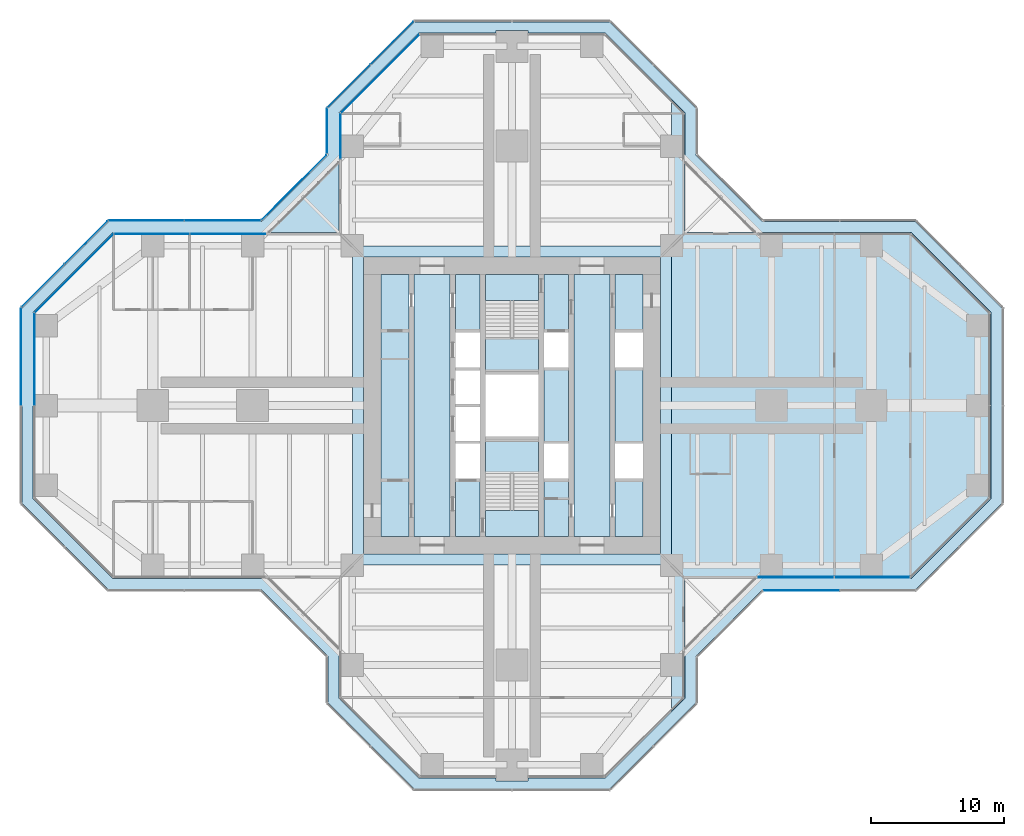
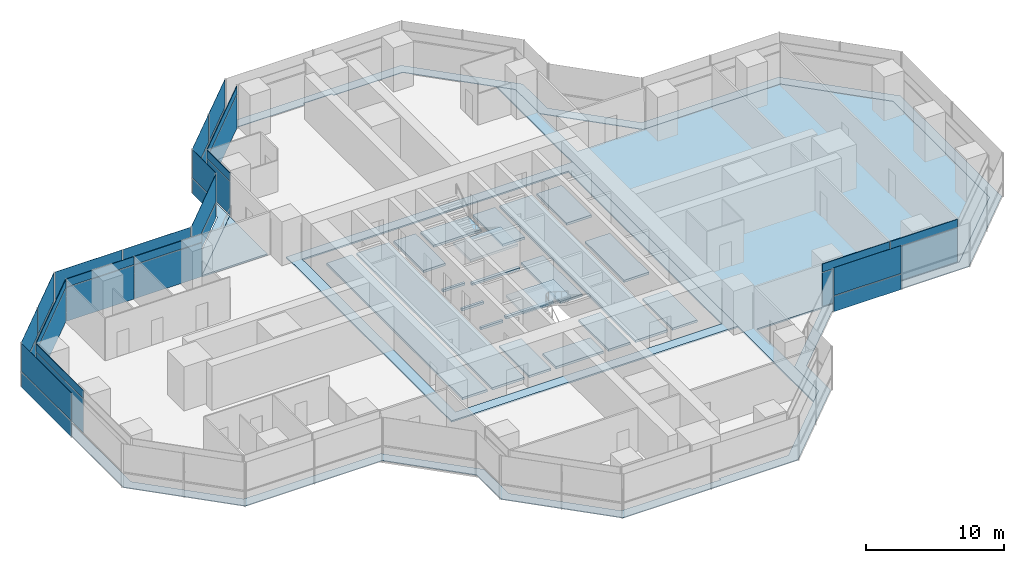
# One storey, part 13 of 20: 37 plates, 8 slabs, 15 elements without a shape of their own.
"""IFC4 building model written with IfcOpenShell, lengths in metres."""

from ifc_helpers import new_model, si_unit, direction, frame, origin, origin_2d, place, context, subcontext, project, spatial, polyline, rectangle, outline, extrude, material, layer, layer_set, type_object, element, aggregate, save


model = new_model("IFC4")

# Units and contexts
model_context = context("Model", 3, precision=1e-05, world=origin(), true_north=direction((0.0, 1.0)))
body_context = subcontext(model_context, "Body", "Model", "MODEL_VIEW")
ifc_project = project(units=[si_unit("LENGTHUNIT", "METRE"), si_unit("AREAUNIT", "SQUARE_METRE"), si_unit("VOLUMEUNIT", "CUBIC_METRE"), si_unit("PLANEANGLEUNIT", "RADIAN"), si_unit("MASSUNIT", "GRAM", prefix="KILO")], contexts=[model_context])

# Site, building, storey
site_placement = place(None, origin())
site = spatial("IfcSite", under=ifc_project, at=site_placement, CompositionType="ELEMENT")
building_placement = place(site_placement, origin())
building = spatial("IfcBuilding", under=site, at=building_placement, Name="Mizan Broadcast Tower", CompositionType="ELEMENT")
storey_placement = place(building_placement, frame((0.0, 0.0, 174.89990234375)))
storey = spatial("IfcBuildingStorey", under=building, at=storey_placement, Name="L40", CompositionType="ELEMENT", Elevation=174.89990234375)

# Plate
ifc_material_1 = material(Name="Aluminium grating", Category="aluminium")
ifc_layer_1 = layer(ifc_material_1, 0.050048828125)
ifc_layer_set_1 = layer_set([ifc_layer_1], Name="Aluminium grating")
plate_type_1 = type_object("IfcPlateType", Name="CAVITY GRATING", PredefinedType="USERDEFINED", material=ifc_layer_set_1)
plate_1_placement = place(storey_placement, frame((0.0, 0.0, -0.0498046875)))
element("IfcPlate", 1, at=plate_1_placement, inside=storey, type_object=plate_type_1, Name="Cavity grating L40", ObjectType="GRATING", PredefinedType="USERDEFINED", context=body_context, shape_type="SweptSolid", body=[
    extrude(outline(polyline([(13.820068359375, -18.839599609375), (18.839599609375, -13.820068359375), (30.339599609375, -13.820068359375), (36.820068359375, -7.339599609375), (36.820068359375, 7.339599609375), (30.339599609375, 13.820068359375), (18.839599609375, 13.820068359375), (13.820068359375, 18.839599609375), (13.820068359375, 22.339599609375), (7.339599609375, 28.820068359375), (-7.339599609375, 28.820068359375), (-13.820068359375, 22.339599609375), (-13.820068359375, 18.839599609375), (-18.839599609375, 13.820068359375), (-30.339599609375, 13.820068359375), (-36.820068359375, 7.339599609375), (-36.820068359375, -7.339599609375), (-30.339599609375, -13.820068359375), (-18.839599609375, -13.820068359375), (-13.820068359375, -18.839599609375), (-13.820068359375, -22.339599609375), (-7.339599609375, -28.820068359375), (7.339599609375, -28.820068359375), (13.820068359375, -22.339599609375), (13.820068359375, -18.839599609375)]), holes=[polyline([(36.0, 7.0), (36.0, -7.0), (30.0, -13.0), (18.5, -13.0), (13.0, -18.5), (13.0, -22.0), (7.0, -28.0), (1.199951171875, -28.0), (1.199951171875, -28.199951171875), (-1.199951171875, -28.199951171875), (-1.199951171875, -28.0), (-7.0, -28.0), (-13.0, -22.0), (-13.0, -18.5), (-18.5, -13.0), (-30.0, -13.0), (-36.0, -7.0), (-36.0, 7.0), (-30.0, 13.0), (-18.5, 13.0), (-13.0, 18.5), (-13.0, 22.0), (-7.0, 28.0), (-1.199951171875, 28.0), (-1.199951171875, 28.199951171875), (1.199951171875, 28.199951171875), (1.199951171875, 28.0), (7.0, 28.0), (13.0, 22.0), (13.0, 18.5), (18.5, 13.0), (30.0, 13.0), (36.0, 7.0)])]), origin(), (0.0, 0.0, 1.0), 0.0498046875),
])

# Slabs
ifc_material_2 = material(Name="Concrete C32/40", Category="concrete")
ifc_layer_2 = layer(ifc_material_2, 0.1298828125)
ifc_layer_set_2 = layer_set([ifc_layer_2], Name="Concrete C32/40")
slab_type_1 = type_object("IfcSlabType", Name="COMPOSITE DECK SLAB 130", PredefinedType="FLOOR", material=ifc_layer_set_2)
slab_1_placement = place(storey_placement, frame((0.0, 0.0, -0.1298828125)))
element("IfcSlab", 2, at=slab_1_placement, inside=storey, type_object=slab_type_1, Name="Floor slab L40 centre", PredefinedType="FLOOR", context=body_context, shape_type="SweptSolid", body=[
    extrude(outline(polyline([(-12.0, -12.0), (12.0, -12.0), (12.0, 12.0), (-12.0, 12.0), (-12.0, -12.0)]), holes=[polyline([(-11.14990234375, 11.14990234375), (11.14990234375, 11.14990234375), (11.14990234375, -11.14990234375), (-11.14990234375, -11.14990234375), (-11.14990234375, 11.14990234375)])]), origin(), (0.0, 0.0, 1.0), 0.1298828125),
])
slab_2_placement = place(storey_placement, frame((0.0, 0.0, -0.1298828125)))
element("IfcSlab", 3, at=slab_2_placement, inside=storey, type_object=slab_type_1, Name="Floor slab L40 east arm", PredefinedType="FLOOR", context=body_context, shape_type="SweptSolid", body=[
    extrude(outline(polyline([(12.0, -23.0), (13.0, -22.0), (13.0, -13.0), (30.0, -13.0), (36.0, -7.0), (36.0, 7.0), (30.0, 13.0), (13.0, 13.0), (13.0, 22.0), (12.0, 23.0), (12.0, -23.0)])), origin(), (0.0, 0.0, 1.0), 0.1298828125),
])
ifc_material_3 = material(Name="Concrete C40/50", Category="concrete")
ifc_layer_3 = layer(ifc_material_3, 0.199951171875)
ifc_layer_set_3 = layer_set([ifc_layer_3], Name="Concrete C40/50")
slab_type_2 = type_object("IfcSlabType", Name="CORE FLOOR 200", PredefinedType="FLOOR", material=ifc_layer_set_3)
slab_3_placement = place(storey_placement, frame((0.0, 0.0, -0.199951171875)))
element("IfcSlab", 4, at=slab_3_placement, inside=storey, type_object=slab_type_2, Name="Core floor L40", PredefinedType="FLOOR", context=body_context, shape_type="SweptSolid", body=[
    extrude(outline(polyline([(-9.85009765625, -9.85009765625), (-7.75, -9.85009765625), (-7.75, 9.85009765625), (-9.85009765625, 9.85009765625), (-9.85009765625, -9.85009765625)])), origin(), (0.0, 0.0, 1.0), 0.199951171875),
    extrude(outline(polyline([(-4.64990234375, 9.85009765625), (-7.35009765625, 9.85009765625), (-7.35009765625, -9.85009765625), (-4.64990234375, -9.85009765625), (-4.64990234375, 9.85009765625)])), origin(), (0.0, 0.0, 1.0), 0.199951171875),
    extrude(outline(polyline([(-4.25, -5.5), (-4.25, -9.85009765625), (-2.39990234375, -9.85009765625), (-2.39990234375, -5.5), (-4.25, -5.5)])), origin(), (0.0, 0.0, 1.0), 0.199951171875),
    extrude(outline(polyline([(-4.25, -2.85009765625), (-2.39990234375, -2.85009765625), (-2.39990234375, -2.64990234375), (-4.25, -2.64990234375), (-4.25, -2.85009765625)])), origin(), (0.0, 0.0, 1.0), 0.199951171875),
    extrude(outline(polyline([(-4.25, -0.10009765625), (-2.39990234375, -0.10009765625), (-2.39990234375, 0.10009765625), (-4.25, 0.10009765625), (-4.25, -0.10009765625)])), origin(), (0.0, 0.0, 1.0), 0.199951171875),
    extrude(outline(polyline([(-4.25, 2.64990234375), (-2.39990234375, 2.64990234375), (-2.39990234375, 2.85009765625), (-4.25, 2.85009765625), (-4.25, 2.64990234375)])), origin(), (0.0, 0.0, 1.0), 0.199951171875),
    extrude(outline(polyline([(-4.25, 5.5), (-2.39990234375, 5.5), (-2.39990234375, 9.85009765625), (-4.25, 9.85009765625), (-4.25, 5.5)])), origin(), (0.0, 0.0, 1.0), 0.199951171875),
    extrude(outline(polyline([(2.0, -2.324951171875), (-2.0, -2.324951171875), (-2.0, -2.574951171875), (2.0, -2.574951171875), (2.0, -2.324951171875)])), origin(), (0.0, 0.0, 1.0), 0.199951171875),
    extrude(outline(polyline([(2.0, 2.574951171875), (-2.0, 2.574951171875), (-2.0, 2.324951171875), (2.0, 2.324951171875), (2.0, 2.574951171875)])), origin(), (0.0, 0.0, 1.0), 0.199951171875),
    extrude(outline(polyline([(4.25, -9.85009765625), (4.25, -5.5), (2.39990234375, -5.5), (2.39990234375, -9.85009765625), (4.25, -9.85009765625)])), origin(), (0.0, 0.0, 1.0), 0.199951171875),
    extrude(outline(polyline([(4.25, -2.85009765625), (4.25, 2.85009765625), (2.39990234375, 2.85009765625), (2.39990234375, -2.85009765625), (4.25, -2.85009765625)])), origin(), (0.0, 0.0, 1.0), 0.199951171875),
    extrude(outline(polyline([(4.25, 5.5), (4.25, 9.85009765625), (2.39990234375, 9.85009765625), (2.39990234375, 5.5), (4.25, 5.5)])), origin(), (0.0, 0.0, 1.0), 0.199951171875),
    extrude(outline(polyline([(4.64990234375, 9.85009765625), (4.64990234375, -9.85009765625), (7.35009765625, -9.85009765625), (7.35009765625, 9.85009765625), (4.64990234375, 9.85009765625)])), origin(), (0.0, 0.0, 1.0), 0.199951171875),
    extrude(outline(polyline([(9.85009765625, -9.85009765625), (9.85009765625, -5.5), (7.75, -5.5), (7.75, -9.85009765625), (9.85009765625, -9.85009765625)])), origin(), (0.0, 0.0, 1.0), 0.199951171875),
    extrude(outline(polyline([(7.75, -2.85009765625), (9.85009765625, -2.85009765625), (9.85009765625, 2.85009765625), (7.75, 2.85009765625), (7.75, -2.85009765625)])), origin(), (0.0, 0.0, 1.0), 0.199951171875),
    extrude(outline(polyline([(9.85009765625, 5.5), (9.85009765625, 9.85009765625), (7.75, 9.85009765625), (7.75, 5.5), (9.85009765625, 5.5)])), origin(), (0.0, 0.0, 1.0), 0.199951171875),
])

# Curtain wall, plates
ifc_material_4 = material(Name="Aluminium framed glazing", Category="aluminium")
curtain_wall_type_1 = type_object("IfcCurtainWallType", Name="INNER SKIN MID ZONE", PredefinedType="USERDEFINED", material=ifc_material_4)
curtain_wall_1_placement = place(storey_placement, origin())
curtain_wall_1 = element("IfcCurtainWall", 5, at=curtain_wall_1_placement, inside=storey, type_object=curtain_wall_type_1, Name="Inner skin mid zone L40 E side", ObjectType="INNER SKIN MID ZONE", PredefinedType="USERDEFINED")
ifc_material_5 = material(Name="Double glazing, clear low-e", Category="glass")
ifc_layer_4 = layer(ifc_material_5, 0.028076171875)
ifc_layer_set_4 = layer_set([ifc_layer_4], Name="Double glazing, clear low-e")
plate_type_2 = type_object("IfcPlateType", Name="INNER SKIN GLAZING UNIT", PredefinedType="CURTAIN_PANEL", material=ifc_layer_set_4)
plate_2_placement = place(storey_placement, frame((21.379638671875, -12.89990234375, 0.0), z_axis=(0.0, 0.0, 1.0), x_axis=(1.0, 0.0, 0.0)))
plate_2 = element("IfcPlate", 6, at=plate_2_placement, type_object=plate_type_2, Name="Inner skin mid zone L40 E side panel 1.1", PredefinedType="CURTAIN_PANEL", context=body_context, shape_type="SweptSolid", body=[
    extrude(rectangle(XDim=5.639404296875, YDim=0.028076171875, at=origin_2d()), origin(), (0.0, 0.0, 1.0), 3.0),
])
plate_3_placement = place(storey_placement, frame((27.078857421875, -12.89990234375, 0.0), z_axis=(0.0, 0.0, 1.0), x_axis=(1.0, 0.0, 0.0)))
plate_3 = element("IfcPlate", 7, at=plate_3_placement, type_object=plate_type_2, Name="Inner skin mid zone L40 E side panel 2.1", PredefinedType="CURTAIN_PANEL", context=body_context, shape_type="SweptSolid", body=[
    extrude(rectangle(XDim=5.639404296875, YDim=0.028076171875, at=origin_2d()), origin(), (0.0, 0.0, 1.0), 3.0),
])

# Curtain wall, plate
curtain_wall_2_placement = place(storey_placement, origin())
curtain_wall_2 = element("IfcCurtainWall", 8, at=curtain_wall_2_placement, inside=storey, type_object=curtain_wall_type_1, Name="Inner skin mid zone L40 N chamfer", ObjectType="INNER SKIN MID ZONE", PredefinedType="USERDEFINED")
plate_4_placement = place(storey_placement, frame((-9.92919921875, 24.92919921875, 0.0), z_axis=(0.0, 0.0, 1.0), x_axis=(-0.707106781187, -0.707106781187, 0.0)))
plate_4 = element("IfcPlate", 9, at=plate_4_placement, type_object=plate_type_2, Name="Inner skin mid zone L40 N chamfer panel 1.1", PredefinedType="CURTAIN_PANEL", context=body_context, shape_type="SweptSolid", body=[
    extrude(rectangle(XDim=8.282470703125, YDim=0.028076171875, at=origin_2d()), origin(), (0.0, 0.0, 1.0), 3.0),
])

curtain_wall_3_placement = place(storey_placement, origin())
curtain_wall_3 = element("IfcCurtainWall", 10, at=curtain_wall_3_placement, inside=storey, type_object=curtain_wall_type_1, Name="Inner skin mid zone L40 N side", ObjectType="INNER SKIN MID ZONE", PredefinedType="USERDEFINED")
plate_5_placement = place(storey_placement, frame((-12.89990234375, 20.229248046875, 0.0), z_axis=(0.0, 0.0, 1.0), x_axis=(0.0, -1.0, 0.0)))
plate_5 = element("IfcPlate", 11, at=plate_5_placement, type_object=plate_type_2, Name="Inner skin mid zone L40 N side panel 1.1", PredefinedType="CURTAIN_PANEL", context=body_context, shape_type="SweptSolid", body=[
    extrude(rectangle(XDim=3.338623046875, YDim=0.028076171875, at=origin_2d()), origin(), (0.0, 0.0, 1.0), 3.0),
])

# Curtain wall, plates
curtain_wall_4_placement = place(storey_placement, origin())
curtain_wall_4 = element("IfcCurtainWall", 12, at=curtain_wall_4_placement, inside=storey, type_object=curtain_wall_type_1, Name="Inner skin mid zone L40 W side", ObjectType="INNER SKIN MID ZONE", PredefinedType="USERDEFINED")
plate_6_placement = place(storey_placement, frame((-21.379638671875, 12.89990234375, 0.0), z_axis=(0.0, 0.0, 1.0), x_axis=(-1.0, 0.0, 0.0)))
plate_6 = element("IfcPlate", 13, at=plate_6_placement, type_object=plate_type_2, Name="Inner skin mid zone L40 W side panel 1.1", PredefinedType="CURTAIN_PANEL", context=body_context, shape_type="SweptSolid", body=[
    extrude(rectangle(XDim=5.639404296875, YDim=0.028076171875, at=origin_2d()), origin(), (0.0, 0.0, 1.0), 3.0),
])
plate_7_placement = place(storey_placement, frame((-27.078857421875, 12.89990234375, 0.0), z_axis=(0.0, 0.0, 1.0), x_axis=(-1.0, 0.0, 0.0)))
plate_7 = element("IfcPlate", 14, at=plate_7_placement, type_object=plate_type_2, Name="Inner skin mid zone L40 W side panel 2.1", PredefinedType="CURTAIN_PANEL", context=body_context, shape_type="SweptSolid", body=[
    extrude(rectangle(XDim=5.639404296875, YDim=0.028076171875, at=origin_2d()), origin(), (0.0, 0.0, 1.0), 3.0),
])

# Curtain wall, plate
curtain_wall_5_placement = place(storey_placement, origin())
curtain_wall_5 = element("IfcCurtainWall", 15, at=curtain_wall_5_placement, inside=storey, type_object=curtain_wall_type_1, Name="Inner skin mid zone L40 W chamfer", ObjectType="INNER SKIN MID ZONE", PredefinedType="USERDEFINED")
plate_8_placement = place(storey_placement, frame((-32.92919921875, 9.92919921875, 0.0), z_axis=(0.0, 0.0, 1.0), x_axis=(-0.707106781187, -0.707106781187, 0.0)))
plate_8 = element("IfcPlate", 16, at=plate_8_placement, type_object=plate_type_2, Name="Inner skin mid zone L40 W chamfer panel 1.1", PredefinedType="CURTAIN_PANEL", context=body_context, shape_type="SweptSolid", body=[
    extrude(rectangle(XDim=8.282470703125, YDim=0.028076171875, at=origin_2d()), origin(), (0.0, 0.0, 1.0), 3.0),
])

curtain_wall_6_placement = place(storey_placement, origin())
curtain_wall_6 = element("IfcCurtainWall", 17, at=curtain_wall_6_placement, inside=storey, type_object=curtain_wall_type_1, Name="Inner skin mid zone L40 W end", ObjectType="INNER SKIN MID ZONE", PredefinedType="USERDEFINED")
plate_9_placement = place(storey_placement, frame((-35.89990234375, 3.46435546875, 0.0), z_axis=(0.0, 0.0, 1.0), x_axis=(0.0, -1.0, 0.0)))
plate_9 = element("IfcPlate", 18, at=plate_9_placement, type_object=plate_type_2, Name="Inner skin mid zone L40 W end panel 1.1", PredefinedType="CURTAIN_PANEL", context=body_context, shape_type="SweptSolid", body=[
    extrude(rectangle(XDim=6.86865234375, YDim=0.028076171875, at=origin_2d()), origin(), (0.0, 0.0, 1.0), 3.0),
])

# Plate
ifc_material_6 = material(Name="Insulated aluminium spandrel panel, pale anodised", Category="aluminium")
ifc_layer_5 = layer(ifc_material_6, 0.050048828125)
ifc_layer_set_5 = layer_set([ifc_layer_5], Name="Insulated aluminium spandrel panel, pale anodised")
plate_type_3 = type_object("IfcPlateType", Name="INNER SKIN SPANDREL PANEL", PredefinedType="CURTAIN_PANEL", material=ifc_layer_set_5)
plate_10_placement = place(storey_placement, frame((21.379638671875, -12.89990234375, 3.06005859375), z_axis=(0.0, 0.0, 1.0), x_axis=(1.0, 0.0, 0.0)))
plate_10 = element("IfcPlate", 19, at=plate_10_placement, type_object=plate_type_3, Name="Inner skin mid zone L40 E side panel 1.2", PredefinedType="CURTAIN_PANEL", context=body_context, shape_type="SweptSolid", body=[
    extrude(rectangle(XDim=5.639404296875, YDim=0.050048828125, at=origin_2d()), origin(), (0.0, 0.0, 1.0), 0.7099609375),
])

plate_11_placement = place(storey_placement, frame((27.078857421875, -12.89990234375, 3.06005859375), z_axis=(0.0, 0.0, 1.0), x_axis=(1.0, 0.0, 0.0)))
plate_11 = element("IfcPlate", 20, at=plate_11_placement, type_object=plate_type_3, Name="Inner skin mid zone L40 E side panel 2.2", PredefinedType="CURTAIN_PANEL", context=body_context, shape_type="SweptSolid", body=[
    extrude(rectangle(XDim=5.639404296875, YDim=0.050048828125, at=origin_2d()), origin(), (0.0, 0.0, 1.0), 0.7099609375),
])

aggregate(curtain_wall_1, [plate_2, plate_10, plate_3, plate_11])

plate_12_placement = place(storey_placement, frame((-9.92919921875, 24.92919921875, 3.06005859375), z_axis=(0.0, 0.0, 1.0), x_axis=(-0.707106781187, -0.707106781187, 0.0)))
plate_12 = element("IfcPlate", 21, at=plate_12_placement, type_object=plate_type_3, Name="Inner skin mid zone L40 N chamfer panel 1.2", PredefinedType="CURTAIN_PANEL", context=body_context, shape_type="SweptSolid", body=[
    extrude(rectangle(XDim=8.282470703125, YDim=0.050048828125, at=origin_2d()), origin(), (0.0, 0.0, 1.0), 0.7099609375),
])

aggregate(curtain_wall_2, [plate_4, plate_12])

plate_13_placement = place(storey_placement, frame((-12.89990234375, 20.229248046875, 3.06005859375), z_axis=(0.0, 0.0, 1.0), x_axis=(0.0, -1.0, 0.0)))
plate_13 = element("IfcPlate", 22, at=plate_13_placement, type_object=plate_type_3, Name="Inner skin mid zone L40 N side panel 1.2", PredefinedType="CURTAIN_PANEL", context=body_context, shape_type="SweptSolid", body=[
    extrude(rectangle(XDim=3.338623046875, YDim=0.050048828125, at=origin_2d()), origin(), (0.0, 0.0, 1.0), 0.7099609375),
])

aggregate(curtain_wall_3, [plate_5, plate_13])

plate_14_placement = place(storey_placement, frame((-21.379638671875, 12.89990234375, 3.06005859375), z_axis=(0.0, 0.0, 1.0), x_axis=(-1.0, 0.0, 0.0)))
plate_14 = element("IfcPlate", 23, at=plate_14_placement, type_object=plate_type_3, Name="Inner skin mid zone L40 W side panel 1.2", PredefinedType="CURTAIN_PANEL", context=body_context, shape_type="SweptSolid", body=[
    extrude(rectangle(XDim=5.639404296875, YDim=0.050048828125, at=origin_2d()), origin(), (0.0, 0.0, 1.0), 0.7099609375),
])

plate_15_placement = place(storey_placement, frame((-27.078857421875, 12.89990234375, 3.06005859375), z_axis=(0.0, 0.0, 1.0), x_axis=(-1.0, 0.0, 0.0)))
plate_15 = element("IfcPlate", 24, at=plate_15_placement, type_object=plate_type_3, Name="Inner skin mid zone L40 W side panel 2.2", PredefinedType="CURTAIN_PANEL", context=body_context, shape_type="SweptSolid", body=[
    extrude(rectangle(XDim=5.639404296875, YDim=0.050048828125, at=origin_2d()), origin(), (0.0, 0.0, 1.0), 0.7099609375),
])

aggregate(curtain_wall_4, [plate_6, plate_14, plate_7, plate_15])

plate_16_placement = place(storey_placement, frame((-32.92919921875, 9.92919921875, 3.06005859375), z_axis=(0.0, 0.0, 1.0), x_axis=(-0.707106781187, -0.707106781187, 0.0)))
plate_16 = element("IfcPlate", 25, at=plate_16_placement, type_object=plate_type_3, Name="Inner skin mid zone L40 W chamfer panel 1.2", PredefinedType="CURTAIN_PANEL", context=body_context, shape_type="SweptSolid", body=[
    extrude(rectangle(XDim=8.282470703125, YDim=0.050048828125, at=origin_2d()), origin(), (0.0, 0.0, 1.0), 0.7099609375),
])

aggregate(curtain_wall_5, [plate_8, plate_16])

plate_17_placement = place(storey_placement, frame((-35.89990234375, 3.46435546875, 3.06005859375), z_axis=(0.0, 0.0, 1.0), x_axis=(0.0, -1.0, 0.0)))
plate_17 = element("IfcPlate", 26, at=plate_17_placement, type_object=plate_type_3, Name="Inner skin mid zone L40 W end panel 1.2", PredefinedType="CURTAIN_PANEL", context=body_context, shape_type="SweptSolid", body=[
    extrude(rectangle(XDim=6.86865234375, YDim=0.050048828125, at=origin_2d()), origin(), (0.0, 0.0, 1.0), 0.7099609375),
])

aggregate(curtain_wall_6, [plate_9, plate_17])

# Curtain wall, plates
ifc_material_7 = material(Name="Aluminium framed glazing", Category="aluminium")
curtain_wall_type_2 = type_object("IfcCurtainWallType", Name="OUTER SKIN", PredefinedType="USERDEFINED", material=ifc_material_7)
curtain_wall_7_placement = place(storey_placement, origin())
curtain_wall_7 = element("IfcCurtainWall", 27, at=curtain_wall_7_placement, inside=storey, type_object=curtain_wall_type_2, Name="Outer skin L40 N chamfer", ObjectType="OUTER SKIN", PredefinedType="USERDEFINED")
ifc_material_8 = material(Name="Laminated clear glass", Category="glass")
ifc_layer_6 = layer(ifc_material_8, 0.02001953125)
ifc_layer_set_6 = layer_set([ifc_layer_6], Name="Laminated clear glass")
plate_type_4 = type_object("IfcPlateType", Name="OUTER SKIN CLEAR GLASS", PredefinedType="CURTAIN_PANEL", material=ifc_layer_set_6)
plate_18_placement = place(storey_placement, frame((-9.018798828125, 27.254150390625, 0.0), z_axis=(0.0, 0.0, 1.0), x_axis=(-0.707106781187, -0.707106781187, 0.0)))
plate_18 = element("IfcPlate", 28, at=plate_18_placement, type_object=plate_type_4, Name="Outer skin L40 N chamfer panel 1.1", PredefinedType="CURTAIN_PANEL", context=body_context, shape_type="SweptSolid", body=[
    extrude(rectangle(XDim=4.495361328125, YDim=0.02001953125, at=origin_2d()), origin(), (0.0, 0.0, 1.0), 1.3701171875),
])
plate_19_placement = place(storey_placement, frame((-9.018798828125, 27.254150390625, 1.43017578125), z_axis=(0.0, 0.0, 1.0), x_axis=(-0.707106781187, -0.707106781187, 0.0)))
plate_19 = element("IfcPlate", 29, at=plate_19_placement, type_object=plate_type_4, Name="Outer skin L40 N chamfer panel 1.2", PredefinedType="CURTAIN_PANEL", context=body_context, shape_type="SweptSolid", body=[
    extrude(rectangle(XDim=4.495361328125, YDim=0.02001953125, at=origin_2d()), origin(), (0.0, 0.0, 1.0), 2.469970703125),
])

curtain_wall_8_placement = place(storey_placement, origin())
curtain_wall_8 = element("IfcCurtainWall", 30, at=curtain_wall_8_placement, inside=storey, type_object=curtain_wall_type_2, Name="Outer skin L40 N side", ObjectType="OUTER SKIN", PredefinedType="USERDEFINED")
plate_20_placement = place(storey_placement, frame((-13.89990234375, 20.622802734375, 0.0), z_axis=(0.0, 0.0, 1.0), x_axis=(0.0, -1.0, 0.0)))
plate_20 = element("IfcPlate", 31, at=plate_20_placement, type_object=plate_type_4, Name="Outer skin L40 N side panel 1.1", PredefinedType="CURTAIN_PANEL", context=body_context, shape_type="SweptSolid", body=[
    extrude(rectangle(XDim=3.340087890625, YDim=0.02001953125, at=origin_2d()), origin(), (0.0, 0.0, 1.0), 1.3701171875),
])
plate_21_placement = place(storey_placement, frame((-13.89990234375, 20.622802734375, 1.43017578125), z_axis=(0.0, 0.0, 1.0), x_axis=(0.0, -1.0, 0.0)))
plate_21 = element("IfcPlate", 32, at=plate_21_placement, type_object=plate_type_4, Name="Outer skin L40 N side panel 1.2", PredefinedType="CURTAIN_PANEL", context=body_context, shape_type="SweptSolid", body=[
    extrude(rectangle(XDim=3.340087890625, YDim=0.02001953125, at=origin_2d()), origin(), (0.0, 0.0, 1.0), 2.469970703125),
])
aggregate(curtain_wall_8, [plate_20, plate_21])

curtain_wall_9_placement = place(storey_placement, origin())
curtain_wall_9 = element("IfcCurtainWall", 33, at=curtain_wall_9_placement, inside=storey, type_object=curtain_wall_type_2, Name="Outer skin L40 W chamfer", ObjectType="OUTER SKIN", PredefinedType="USERDEFINED")
plate_22_placement = place(storey_placement, frame((-16.386474609375, 16.386474609375, 0.0), z_axis=(0.0, 0.0, 1.0), x_axis=(-0.707106781187, -0.707106781187, 0.0)))
plate_22 = element("IfcPlate", 34, at=plate_22_placement, type_object=plate_type_4, Name="Outer skin L40 W chamfer panel 1.1", PredefinedType="CURTAIN_PANEL", context=body_context, shape_type="SweptSolid", body=[
    extrude(rectangle(XDim=6.87255859375, YDim=0.02001953125, at=origin_2d()), origin(), (0.0, 0.0, 1.0), 1.3701171875),
])
plate_23_placement = place(storey_placement, frame((-16.386474609375, 16.386474609375, 1.43017578125), z_axis=(0.0, 0.0, 1.0), x_axis=(-0.707106781187, -0.707106781187, 0.0)))
plate_23 = element("IfcPlate", 35, at=plate_23_placement, type_object=plate_type_4, Name="Outer skin L40 W chamfer panel 1.2", PredefinedType="CURTAIN_PANEL", context=body_context, shape_type="SweptSolid", body=[
    extrude(rectangle(XDim=6.87255859375, YDim=0.02001953125, at=origin_2d()), origin(), (0.0, 0.0, 1.0), 2.469970703125),
])
aggregate(curtain_wall_9, [plate_22, plate_23])

curtain_wall_10_placement = place(storey_placement, origin())
curtain_wall_10 = element("IfcCurtainWall", 36, at=curtain_wall_10_placement, inside=storey, type_object=curtain_wall_type_2, Name="Outer skin L40 W side", ObjectType="OUTER SKIN", PredefinedType="USERDEFINED")
plate_24_placement = place(storey_placement, frame((-21.767822265625, 13.89990234375, 0.0), z_axis=(0.0, 0.0, 1.0), x_axis=(-1.0, 0.0, 0.0)))
plate_24 = element("IfcPlate", 37, at=plate_24_placement, type_object=plate_type_4, Name="Outer skin L40 W side panel 1.1", PredefinedType="CURTAIN_PANEL", context=body_context, shape_type="SweptSolid", body=[
    extrude(rectangle(XDim=5.6298828125, YDim=0.02001953125, at=origin_2d()), origin(), (0.0, 0.0, 1.0), 1.3701171875),
])
plate_25_placement = place(storey_placement, frame((-21.767822265625, 13.89990234375, 1.43017578125), z_axis=(0.0, 0.0, 1.0), x_axis=(-1.0, 0.0, 0.0)))
plate_25 = element("IfcPlate", 38, at=plate_25_placement, type_object=plate_type_4, Name="Outer skin L40 W side panel 1.2", PredefinedType="CURTAIN_PANEL", context=body_context, shape_type="SweptSolid", body=[
    extrude(rectangle(XDim=5.6298828125, YDim=0.02001953125, at=origin_2d()), origin(), (0.0, 0.0, 1.0), 2.469970703125),
])
plate_26_placement = place(storey_placement, frame((-27.477783203125, 13.89990234375, 0.0), z_axis=(0.0, 0.0, 1.0), x_axis=(-1.0, 0.0, 0.0)))
plate_26 = element("IfcPlate", 39, at=plate_26_placement, type_object=plate_type_4, Name="Outer skin L40 W side panel 2.1", PredefinedType="CURTAIN_PANEL", context=body_context, shape_type="SweptSolid", body=[
    extrude(rectangle(XDim=5.6298828125, YDim=0.02001953125, at=origin_2d()), origin(), (0.0, 0.0, 1.0), 1.3701171875),
])
plate_27_placement = place(storey_placement, frame((-27.477783203125, 13.89990234375, 1.43017578125), z_axis=(0.0, 0.0, 1.0), x_axis=(-1.0, 0.0, 0.0)))
plate_27 = element("IfcPlate", 40, at=plate_27_placement, type_object=plate_type_4, Name="Outer skin L40 W side panel 2.2", PredefinedType="CURTAIN_PANEL", context=body_context, shape_type="SweptSolid", body=[
    extrude(rectangle(XDim=5.6298828125, YDim=0.02001953125, at=origin_2d()), origin(), (0.0, 0.0, 1.0), 2.469970703125),
])
aggregate(curtain_wall_10, [plate_24, plate_25, plate_26, plate_27])

curtain_wall_11_placement = place(storey_placement, origin())
curtain_wall_11 = element("IfcCurtainWall", 41, at=curtain_wall_11_placement, inside=storey, type_object=curtain_wall_type_2, Name="Outer skin L40 W chamfer", ObjectType="OUTER SKIN", PredefinedType="USERDEFINED")
plate_28_placement = place(storey_placement, frame((-32.018798828125, 12.254150390625, 0.0), z_axis=(0.0, 0.0, 1.0), x_axis=(-0.707106781187, -0.707106781187, 0.0)))
plate_28 = element("IfcPlate", 42, at=plate_28_placement, type_object=plate_type_4, Name="Outer skin L40 W chamfer panel 1.1", PredefinedType="CURTAIN_PANEL", context=body_context, shape_type="SweptSolid", body=[
    extrude(rectangle(XDim=4.495361328125, YDim=0.02001953125, at=origin_2d()), origin(), (0.0, 0.0, 1.0), 1.3701171875),
])
plate_29_placement = place(storey_placement, frame((-32.018798828125, 12.254150390625, 1.43017578125), z_axis=(0.0, 0.0, 1.0), x_axis=(-0.707106781187, -0.707106781187, 0.0)))
plate_29 = element("IfcPlate", 43, at=plate_29_placement, type_object=plate_type_4, Name="Outer skin L40 W chamfer panel 1.2", PredefinedType="CURTAIN_PANEL", context=body_context, shape_type="SweptSolid", body=[
    extrude(rectangle(XDim=4.495361328125, YDim=0.02001953125, at=origin_2d()), origin(), (0.0, 0.0, 1.0), 2.469970703125),
])

curtain_wall_12_placement = place(storey_placement, origin())
curtain_wall_12 = element("IfcCurtainWall", 44, at=curtain_wall_12_placement, inside=storey, type_object=curtain_wall_type_2, Name="Outer skin L40 W end", ObjectType="OUTER SKIN", PredefinedType="USERDEFINED")
plate_30_placement = place(storey_placement, frame((-36.89990234375, 3.66650390625, 0.0), z_axis=(0.0, 0.0, 1.0), x_axis=(0.0, -1.0, 0.0)))
plate_30 = element("IfcPlate", 45, at=plate_30_placement, type_object=plate_type_4, Name="Outer skin L40 W end panel 1.1", PredefinedType="CURTAIN_PANEL", context=body_context, shape_type="SweptSolid", body=[
    extrude(rectangle(XDim=7.252685546875, YDim=0.02001953125, at=origin_2d()), origin(), (0.0, 0.0, 1.0), 1.3701171875),
])
plate_31_placement = place(storey_placement, frame((-36.89990234375, 3.66650390625, 1.43017578125), z_axis=(0.0, 0.0, 1.0), x_axis=(0.0, -1.0, 0.0)))
plate_31 = element("IfcPlate", 46, at=plate_31_placement, type_object=plate_type_4, Name="Outer skin L40 W end panel 1.2", PredefinedType="CURTAIN_PANEL", context=body_context, shape_type="SweptSolid", body=[
    extrude(rectangle(XDim=7.252685546875, YDim=0.02001953125, at=origin_2d()), origin(), (0.0, 0.0, 1.0), 2.469970703125),
])
aggregate(curtain_wall_12, [plate_30, plate_31])

curtain_wall_13_placement = place(storey_placement, origin())
curtain_wall_13 = element("IfcCurtainWall", 47, at=curtain_wall_13_placement, inside=storey, type_object=curtain_wall_type_2, Name="Outer skin L40 E side", ObjectType="OUTER SKIN", PredefinedType="USERDEFINED")
plate_32_placement = place(storey_placement, frame((21.767822265625, -13.89990234375, 0.0), z_axis=(0.0, 0.0, 1.0), x_axis=(1.0, 0.0, 0.0)))
plate_32 = element("IfcPlate", 48, at=plate_32_placement, type_object=plate_type_4, Name="Outer skin L40 E side panel 1.1", PredefinedType="CURTAIN_PANEL", context=body_context, shape_type="SweptSolid", body=[
    extrude(rectangle(XDim=5.6298828125, YDim=0.02001953125, at=origin_2d()), origin(), (0.0, 0.0, 1.0), 1.3701171875),
])
plate_33_placement = place(storey_placement, frame((21.767822265625, -13.89990234375, 1.43017578125), z_axis=(0.0, 0.0, 1.0), x_axis=(1.0, 0.0, 0.0)))
plate_33 = element("IfcPlate", 49, at=plate_33_placement, type_object=plate_type_4, Name="Outer skin L40 E side panel 1.2", PredefinedType="CURTAIN_PANEL", context=body_context, shape_type="SweptSolid", body=[
    extrude(rectangle(XDim=5.6298828125, YDim=0.02001953125, at=origin_2d()), origin(), (0.0, 0.0, 1.0), 2.469970703125),
])
aggregate(curtain_wall_13, [plate_32, plate_33])

# Plate
ifc_material_9 = material(Name="Perforated aluminium, pale anodised", Category="aluminium")
ifc_layer_7 = layer(ifc_material_9, 0.011962890625)
ifc_layer_set_7 = layer_set([ifc_layer_7], Name="Perforated aluminium, pale anodised")
plate_type_5 = type_object("IfcPlateType", Name="OUTER SKIN PERFORATED SCREEN", PredefinedType="USERDEFINED", material=ifc_layer_set_7)
plate_34_placement = place(storey_placement, frame((-12.254150390625, 24.018798828125, 0.0), z_axis=(0.0, 0.0, 1.0), x_axis=(-0.707106781187, -0.707106781187, 0.0)))
plate_34 = element("IfcPlate", 50, at=plate_34_placement, type_object=plate_type_5, Name="Outer skin L40 N chamfer panel 2.1", ObjectType="SCREEN", PredefinedType="USERDEFINED", context=body_context, shape_type="SweptSolid", body=[
    extrude(rectangle(XDim=4.495361328125, YDim=0.011962890625, at=origin_2d()), origin(), (0.0, 0.0, 1.0), 1.3701171875),
])

plate_35_placement = place(storey_placement, frame((-12.254150390625, 24.018798828125, 1.43017578125), z_axis=(0.0, 0.0, 1.0), x_axis=(-0.707106781187, -0.707106781187, 0.0)))
plate_35 = element("IfcPlate", 51, at=plate_35_placement, type_object=plate_type_5, Name="Outer skin L40 N chamfer panel 2.2", ObjectType="SCREEN", PredefinedType="USERDEFINED", context=body_context, shape_type="SweptSolid", body=[
    extrude(rectangle(XDim=4.495361328125, YDim=0.011962890625, at=origin_2d()), origin(), (0.0, 0.0, 1.0), 2.469970703125),
])

aggregate(curtain_wall_7, [plate_18, plate_19, plate_34, plate_35])

plate_36_placement = place(storey_placement, frame((-35.254150390625, 9.018798828125, 0.0), z_axis=(0.0, 0.0, 1.0), x_axis=(-0.707106781187, -0.707106781187, 0.0)))
plate_36 = element("IfcPlate", 52, at=plate_36_placement, type_object=plate_type_5, Name="Outer skin L40 W chamfer panel 2.1", ObjectType="SCREEN", PredefinedType="USERDEFINED", context=body_context, shape_type="SweptSolid", body=[
    extrude(rectangle(XDim=4.495361328125, YDim=0.011962890625, at=origin_2d()), origin(), (0.0, 0.0, 1.0), 1.3701171875),
])

plate_37_placement = place(storey_placement, frame((-35.254150390625, 9.018798828125, 1.43017578125), z_axis=(0.0, 0.0, 1.0), x_axis=(-0.707106781187, -0.707106781187, 0.0)))
plate_37 = element("IfcPlate", 53, at=plate_37_placement, type_object=plate_type_5, Name="Outer skin L40 W chamfer panel 2.2", ObjectType="SCREEN", PredefinedType="USERDEFINED", context=body_context, shape_type="SweptSolid", body=[
    extrude(rectangle(XDim=4.495361328125, YDim=0.011962890625, at=origin_2d()), origin(), (0.0, 0.0, 1.0), 2.469970703125),
])

aggregate(curtain_wall_11, [plate_28, plate_29, plate_36, plate_37])

# Stair, slabs
ifc_material_10 = material(Name="Concrete C40/50", Category="concrete")
stair_type = type_object("IfcStairType", Name="EXIT STAIR", PredefinedType="HALF_TURN_STAIR", material=ifc_material_10)
stair_1_placement = place(storey_placement, origin())
stair_1 = element("IfcStair", 54, at=stair_1_placement, inside=storey, type_object=stair_type, Name="Stair A L40", PredefinedType="HALF_TURN_STAIR")
ifc_material_11 = material(Name="Concrete C40/50", Category="concrete")
ifc_layer_8 = layer(ifc_material_11, 0.199951171875)
ifc_layer_set_8 = layer_set([ifc_layer_8], Name="Concrete C40/50")
slab_type_3 = type_object("IfcSlabType", Name="STAIR LANDING 200", PredefinedType="LANDING", material=ifc_layer_set_8)
slab_4_placement = place(storey_placement, frame((0.0, 0.0, -0.199951171875)))
slab_4 = element("IfcSlab", 55, at=slab_4_placement, type_object=slab_type_3, Name="A landing 1", PredefinedType="LANDING", context=body_context, shape_type="SweptSolid", body=[
    extrude(outline(polyline([(-2.0, -9.85009765625), (-2.0, -7.89990234375), (2.0, -7.89990234375), (2.0, -9.85009765625), (-2.0, -9.85009765625)])), origin(), (0.0, 0.0, 1.0), 0.199951171875),
])
slab_5_placement = place(storey_placement, frame((0.0, 0.0, 1.75)))
slab_5 = element("IfcSlab", 56, at=slab_5_placement, type_object=slab_type_3, Name="A landing 2", PredefinedType="LANDING", context=body_context, shape_type="SweptSolid", body=[
    extrude(outline(polyline([(-2.0, -5.10009765625), (-2.0, -2.574951171875), (2.0, -2.574951171875), (2.0, -5.10009765625), (-2.0, -5.10009765625)])), origin(), (0.0, 0.0, 1.0), 0.2001953125),
])
aggregate(stair_1, [slab_4, slab_5])

stair_2_placement = place(storey_placement, origin())
stair_2 = element("IfcStair", 57, at=stair_2_placement, inside=storey, type_object=stair_type, Name="Stair B L40", PredefinedType="HALF_TURN_STAIR")
slab_6_placement = place(storey_placement, frame((0.0, 0.0, -0.199951171875)))
slab_6 = element("IfcSlab", 58, at=slab_6_placement, type_object=slab_type_3, Name="B landing 1", PredefinedType="LANDING", context=body_context, shape_type="SweptSolid", body=[
    extrude(outline(polyline([(2.0, 9.85009765625), (2.0, 7.89990234375), (-2.0, 7.89990234375), (-2.0, 9.85009765625), (2.0, 9.85009765625)])), origin(), (0.0, 0.0, 1.0), 0.199951171875),
])
slab_7_placement = place(storey_placement, frame((0.0, 0.0, 1.75)))
slab_7 = element("IfcSlab", 59, at=slab_7_placement, type_object=slab_type_3, Name="B landing 2", PredefinedType="LANDING", context=body_context, shape_type="SweptSolid", body=[
    extrude(outline(polyline([(2.0, 5.10009765625), (2.0, 2.574951171875), (-2.0, 2.574951171875), (-2.0, 5.10009765625), (2.0, 5.10009765625)])), origin(), (0.0, 0.0, 1.0), 0.2001953125),
])
aggregate(stair_2, [slab_6, slab_7])

# Slab
ifc_material_12 = material(Name="Concrete C32/40", Category="concrete")
ifc_layer_9 = layer(ifc_material_12, 0.1298828125)
ifc_layer_set_9 = layer_set([ifc_layer_9], Name="Concrete C32/40")
slab_type_4 = type_object("IfcSlabType", Name="WINTER GARDEN SLAB 130", PredefinedType="FLOOR", material=ifc_layer_set_9)
slab_8_placement = place(storey_placement, frame((0.0, 0.0, -0.1298828125)))
element("IfcSlab", 60, at=slab_8_placement, inside=storey, type_object=slab_type_4, Name="Winter garden slab L40 N", PredefinedType="FLOOR", context=body_context, shape_type="SweptSolid", body=[
    extrude(outline(polyline([(-13.0, 13.0), (-13.0, 18.5), (-18.5, 13.0), (-13.0, 13.0)])), origin(), (0.0, 0.0, 1.0), 0.1298828125),
])

save(model, "model.ifc")
